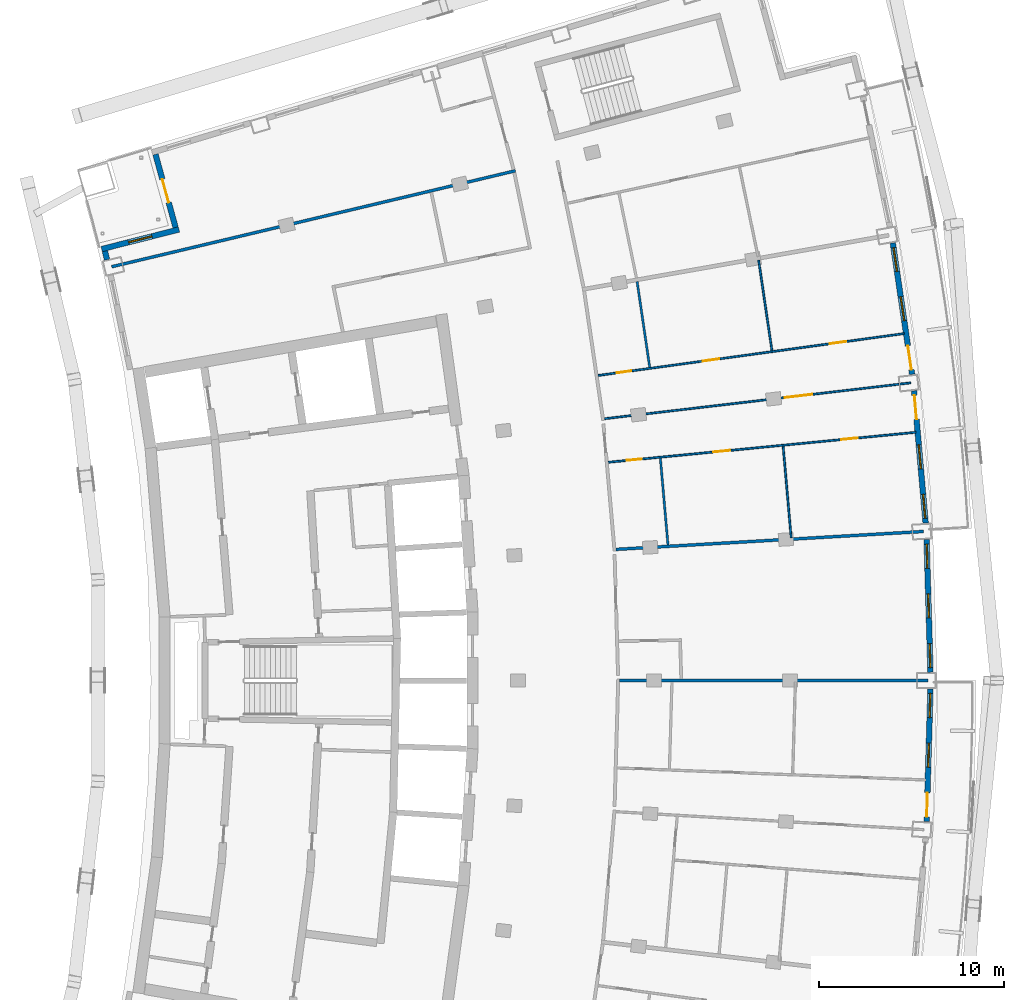
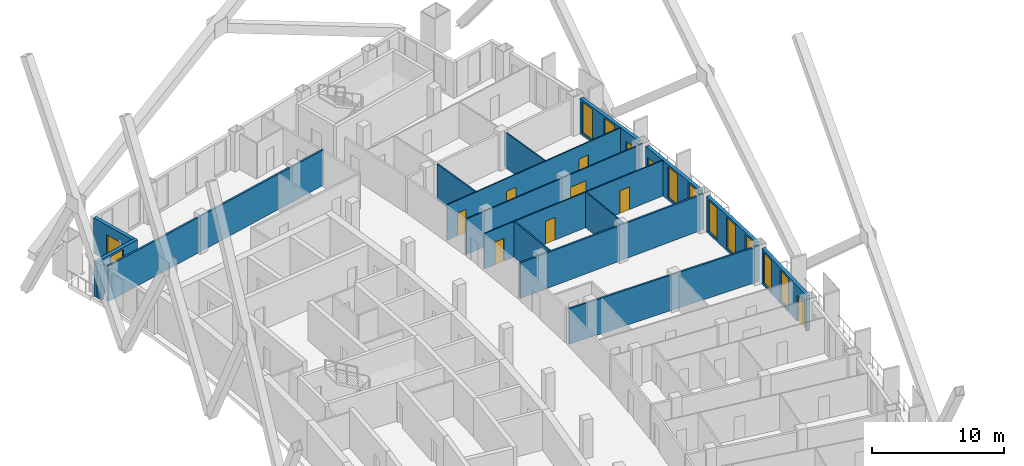
# One storey, part 14 of 20: 17 walls, 11 doors, 10 windows, 21 openings.
"""IFC4 building model written with IfcOpenShell, lengths in metres."""

from ifc_helpers import new_model, si_unit, direction, frame, frame_2d, origin, place, context, subcontext, project, spatial, rectangle, extrude, material, layer, layer_set, type_object, element, fill, save


model = new_model("IFC4")

# Units and contexts
model_context = context("Model", 3, precision=1e-05, world=origin(), true_north=direction((0.0, 1.0)))
body_context = subcontext(model_context, "Body", "Model", "MODEL_VIEW")
ifc_project = project(units=[si_unit("LENGTHUNIT", "METRE"), si_unit("AREAUNIT", "SQUARE_METRE"), si_unit("VOLUMEUNIT", "CUBIC_METRE"), si_unit("PLANEANGLEUNIT", "RADIAN"), si_unit("MASSUNIT", "GRAM", prefix="KILO")], contexts=[model_context])

# Site, building, storey
site_placement = place(None, origin())
site = spatial("IfcSite", under=ifc_project, at=site_placement, CompositionType="ELEMENT")
building_placement = place(site_placement, origin())
building = spatial("IfcBuilding", under=site, at=building_placement, Name="Alderwake Tower", CompositionType="ELEMENT")
storey_placement = place(building_placement, frame((0.0, 0.0, 210.800048828125)))
storey = spatial("IfcBuildingStorey", under=building, at=storey_placement, Name="L52", CompositionType="ELEMENT", Elevation=210.800048828125)

# Walls
ifc_material_1 = material(Name="Gypsum board on metal studs, rated")
ifc_layer_1 = layer(ifc_material_1, 0.159912109375)
ifc_layer_set_1 = layer_set([ifc_layer_1], Name="Corridor wall 160")
wall_type_1 = type_object("IfcWallType", Name="Corridor wall 160", PredefinedType="PARTITIONING", material=ifc_layer_set_1)
wall_1_placement = place(storey_placement, frame((13.884033203125, 83.31298828125, 0.0), z_axis=(0.0, 0.0, 1.0), x_axis=(0.972893462073, 0.231253781493, 0.0)))
element("IfcWall", 1, at=wall_1_placement, inside=storey, type_object=wall_type_1, Name="WL/L52/W09", PredefinedType="PARTITIONING", context=body_context, shape_type="SweptSolid", body=[
    extrude(rectangle(XDim=22.38037109375, YDim=0.159912109375, at=frame_2d((11.190185546875, 0.0))), origin(), (0.0, 0.0, 1.0), 3.280029296875),
])
wall_2_placement = place(storey_placement, frame((57.666015625, 69.0390625, 0.0), z_axis=(0.0, 0.0, 1.0), x_axis=(-0.998304783691, -0.058202739276, 0.0)))
element("IfcWall", 2, at=wall_2_placement, inside=storey, type_object=wall_type_1, Name="WL/L52/W26", PredefinedType="PARTITIONING", context=body_context, shape_type="SweptSolid", body=[
    extrude(rectangle(XDim=16.619140625, YDim=0.159912109375, at=frame_2d((8.3095703125, 0.0))), origin(), (0.0, 0.0, 1.0), 3.280029296875),
])
wall_3_placement = place(storey_placement, frame((57.89990234375, 60.9990234375, 0.0), z_axis=(0.0, 0.0, 1.0), x_axis=(-1.0, 0.0, 0.0)))
element("IfcWall", 3, at=wall_3_placement, inside=storey, type_object=wall_type_1, Name="WL/L52/W27", PredefinedType="PARTITIONING", context=body_context, shape_type="SweptSolid", body=[
    extrude(rectangle(XDim=16.620849609375, YDim=0.159912109375, at=frame_2d((8.310546875, 0.0))), origin(), (0.0, 0.0, 1.0), 3.280029296875),
])

# Wall, openings, door, windows
ifc_material_2 = material(Name="Precast concrete C50/60 spandrel panel", Category="concrete")
ifc_layer_2 = layer(ifc_material_2, 0.300048828125)
ifc_layer_set_2 = layer_set([ifc_layer_2], Name="External wall EW1 Precast concrete C50/60 spandrel")
wall_type_2 = type_object("IfcWallType", Name="External wall EW1 Precast concrete C50/60 spandrel", PredefinedType="SOLIDWALL", material=ifc_layer_set_2)
wall_4_placement = place(storey_placement, frame((57.828125, 53.39892578125, 0.0), z_axis=(0.0, 0.0, 1.0), x_axis=(0.029166481993, 0.999574567668, 0.0)))
wall_4 = element("IfcWall", 4, at=wall_4_placement, inside=storey, type_object=wall_type_2, Name="External wall 15", PredefinedType="SOLIDWALL", context=body_context, shape_type="SweptSolid", body=[
    extrude(rectangle(XDim=7.15673828125, YDim=0.300048828125, at=frame_2d((3.578369140625, 0.0))), origin(), (0.0, 0.0, 1.0), 3.280029296875),
])
opening_1_placement = place(wall_4_placement, frame((0.24951171875, 0.0, 0.0)))
opening_1 = element("IfcOpeningElement", 5, at=opening_1_placement, cuts=wall_4, Name="Opening D05", PredefinedType="OPENING", context=body_context, shape_type="SweptSolid", body=[
    extrude(rectangle(XDim=1.300048828125, YDim=2.39990234375, at=frame_2d((0.64990234375, 1.199951171875))), frame((0.0, 0.159912109375, 0.0), z_axis=(0.0, -1.0, 0.0), x_axis=(1.0, 0.0, 0.0)), (0.0, 0.0, 1.0), 0.320068359375),
])
opening_2_placement = place(wall_4_placement, frame((2.928466796875, 0.0, 0.199951171875)))
opening_2 = element("IfcOpeningElement", 6, at=opening_2_placement, cuts=wall_4, Name="Opening W1", PredefinedType="OPENING", context=body_context, shape_type="SweptSolid", body=[
    extrude(rectangle(XDim=1.300048828125, YDim=2.89990234375, at=frame_2d((0.64990234375, 1.449951171875))), frame((0.0, 0.159912109375, 0.0), z_axis=(0.0, -1.0, 0.0), x_axis=(1.0, 0.0, 0.0)), (0.0, 0.0, 1.0), 0.320068359375),
])
opening_3_placement = place(wall_4_placement, frame((5.607666015625, 0.0, 0.199951171875)))
opening_3 = element("IfcOpeningElement", 7, at=opening_3_placement, cuts=wall_4, Name="Opening W1", PredefinedType="OPENING", context=body_context, shape_type="SweptSolid", body=[
    extrude(rectangle(XDim=1.300048828125, YDim=2.89990234375, at=frame_2d((0.64990234375, 1.449951171875))), frame((0.0, 0.159912109375, 0.0), z_axis=(0.0, -1.0, 0.0), x_axis=(1.0, 0.0, 0.0)), (0.0, 0.0, 1.0), 0.320068359375),
])
ifc_material_3 = material(Name="Bronze tinted glass in aluminium frame", Category="aluminium")
door_type_1 = type_object("IfcDoorType", Name="Balcony door BD sliding", OperationType="SLIDING_TO_LEFT", PredefinedType="DOOR", material=ifc_material_3)
door_1_placement = place(opening_1_placement, origin())
door_1 = element("IfcDoor", 8, at=door_1_placement, inside=storey, type_object=door_type_1, Name="Door D05", OperationType="SLIDING_TO_LEFT", OverallHeight=2.39990234375, OverallWidth=1.300048828125, PredefinedType="DOOR", context=body_context, shape_type="SweptSolid", body=[
    extrude(rectangle(XDim=1.300048828125, YDim=2.39990234375, at=frame_2d((0.64990234375, 1.199951171875))), frame((0.0, 0.02490234375, 0.0), z_axis=(0.0, -1.0, 0.0), x_axis=(1.0, 0.0, 0.0)), (0.0, 0.0, 1.0), 0.050048828125),
])
fill(opening_1, door_1)
ifc_material_4 = material(Name="Bronze tinted glass in aluminium frame", Category="aluminium")
window_type = type_object("IfcWindowType", Name="Window W1 tall fixed and vent", PartitioningType="DOUBLE_PANEL_VERTICAL", PredefinedType="WINDOW", material=ifc_material_4)
window_1_placement = place(opening_2_placement, origin())
window_1 = element("IfcWindow", 9, at=window_1_placement, inside=storey, type_object=window_type, Name="Window W1 tall fixed and vent", OverallHeight=2.89990234375, OverallWidth=1.300048828125, PartitioningType="DOUBLE_PANEL_VERTICAL", PredefinedType="WINDOW", context=body_context, shape_type="SweptSolid", body=[
    extrude(rectangle(XDim=1.300048828125, YDim=2.89990234375, at=frame_2d((0.64990234375, 1.449951171875))), frame((0.0, 0.030029296875, 0.0), z_axis=(0.0, -1.0, 0.0), x_axis=(1.0, 0.0, 0.0)), (0.0, 0.0, 1.0), 0.06005859375),
])
fill(opening_2, window_1)
window_2_placement = place(opening_3_placement, origin())
window_2 = element("IfcWindow", 10, at=window_2_placement, inside=storey, type_object=window_type, Name="Window W1 tall fixed and vent", OverallHeight=2.89990234375, OverallWidth=1.300048828125, PartitioningType="DOUBLE_PANEL_VERTICAL", PredefinedType="WINDOW", context=body_context, shape_type="SweptSolid", body=[
    extrude(rectangle(XDim=1.300048828125, YDim=2.89990234375, at=frame_2d((0.64990234375, 1.449951171875))), frame((0.0, 0.030029296875, 0.0), z_axis=(0.0, -1.0, 0.0), x_axis=(1.0, 0.0, 0.0)), (0.0, 0.0, 1.0), 0.06005859375),
])
fill(opening_3, window_2)

# Wall, openings, windows
wall_5_placement = place(storey_placement, frame((58.036865234375, 61.447265625, 0.0), z_axis=(0.0, 0.0, 1.0), x_axis=(-0.029166481993, 0.999574567668, 0.0)))
wall_5 = element("IfcWall", 11, at=wall_5_placement, inside=storey, type_object=wall_type_2, Name="External wall 16", PredefinedType="SOLIDWALL", context=body_context, shape_type="SweptSolid", body=[
    extrude(rectangle(XDim=7.15673828125, YDim=0.300048828125, at=frame_2d((3.578369140625, 0.0))), origin(), (0.0, 0.0, 1.0), 3.280029296875),
])
opening_4_placement = place(wall_5_placement, frame((0.24951171875, 0.0, 0.199951171875)))
opening_4 = element("IfcOpeningElement", 12, at=opening_4_placement, cuts=wall_5, Name="Opening W1", PredefinedType="OPENING", context=body_context, shape_type="SweptSolid", body=[
    extrude(rectangle(XDim=1.300048828125, YDim=2.89990234375, at=frame_2d((0.64990234375, 1.449951171875))), frame((0.0, 0.159912109375, 0.0), z_axis=(0.0, -1.0, 0.0), x_axis=(1.0, 0.0, 0.0)), (0.0, 0.0, 1.0), 0.320068359375),
])
opening_5_placement = place(wall_5_placement, frame((2.928466796875, 0.0, 0.199951171875)))
opening_5 = element("IfcOpeningElement", 13, at=opening_5_placement, cuts=wall_5, Name="Opening W1", PredefinedType="OPENING", context=body_context, shape_type="SweptSolid", body=[
    extrude(rectangle(XDim=1.300048828125, YDim=2.89990234375, at=frame_2d((0.64990234375, 1.449951171875))), frame((0.0, 0.159912109375, 0.0), z_axis=(0.0, -1.0, 0.0), x_axis=(1.0, 0.0, 0.0)), (0.0, 0.0, 1.0), 0.320068359375),
])
opening_6_placement = place(wall_5_placement, frame((5.607666015625, 0.0, 0.199951171875)))
opening_6 = element("IfcOpeningElement", 14, at=opening_6_placement, cuts=wall_5, Name="Opening W1", PredefinedType="OPENING", context=body_context, shape_type="SweptSolid", body=[
    extrude(rectangle(XDim=1.300048828125, YDim=2.89990234375, at=frame_2d((0.64990234375, 1.449951171875))), frame((0.0, 0.159912109375, 0.0), z_axis=(0.0, -1.0, 0.0), x_axis=(1.0, 0.0, 0.0)), (0.0, 0.0, 1.0), 0.320068359375),
])
window_3_placement = place(opening_4_placement, origin())
window_3 = element("IfcWindow", 15, at=window_3_placement, inside=storey, type_object=window_type, Name="Window W1 tall fixed and vent", OverallHeight=2.89990234375, OverallWidth=1.300048828125, PartitioningType="DOUBLE_PANEL_VERTICAL", PredefinedType="WINDOW", context=body_context, shape_type="SweptSolid", body=[
    extrude(rectangle(XDim=1.300048828125, YDim=2.89990234375, at=frame_2d((0.64990234375, 1.449951171875))), frame((0.0, 0.030029296875, 0.0), z_axis=(0.0, -1.0, 0.0), x_axis=(1.0, 0.0, 0.0)), (0.0, 0.0, 1.0), 0.06005859375),
])
fill(opening_4, window_3)
window_4_placement = place(opening_5_placement, origin())
window_4 = element("IfcWindow", 16, at=window_4_placement, inside=storey, type_object=window_type, Name="Window W1 tall fixed and vent", OverallHeight=2.89990234375, OverallWidth=1.300048828125, PartitioningType="DOUBLE_PANEL_VERTICAL", PredefinedType="WINDOW", context=body_context, shape_type="SweptSolid", body=[
    extrude(rectangle(XDim=1.300048828125, YDim=2.89990234375, at=frame_2d((0.64990234375, 1.449951171875))), frame((0.0, 0.030029296875, 0.0), z_axis=(0.0, -1.0, 0.0), x_axis=(1.0, 0.0, 0.0)), (0.0, 0.0, 1.0), 0.06005859375),
])
fill(opening_5, window_4)
window_5_placement = place(opening_6_placement, origin())
window_5 = element("IfcWindow", 17, at=window_5_placement, inside=storey, type_object=window_type, Name="Window W1 tall fixed and vent", OverallHeight=2.89990234375, OverallWidth=1.300048828125, PartitioningType="DOUBLE_PANEL_VERTICAL", PredefinedType="WINDOW", context=body_context, shape_type="SweptSolid", body=[
    extrude(rectangle(XDim=1.300048828125, YDim=2.89990234375, at=frame_2d((0.64990234375, 1.449951171875))), frame((0.0, 0.030029296875, 0.0), z_axis=(0.0, -1.0, 0.0), x_axis=(1.0, 0.0, 0.0)), (0.0, 0.0, 1.0), 0.06005859375),
])
fill(opening_6, window_5)

# Wall, openings, door, windows
wall_6_placement = place(storey_placement, frame((57.776123046875, 69.494140625, 0.0), z_axis=(0.0, 0.0, 1.0), x_axis=(-0.087398001478, 0.996173473516, 0.0)))
wall_6 = element("IfcWall", 18, at=wall_6_placement, inside=storey, type_object=wall_type_2, Name="External wall 17", PredefinedType="SOLIDWALL", context=body_context, shape_type="SweptSolid", body=[
    extrude(rectangle(XDim=7.15673828125, YDim=0.300048828125, at=frame_2d((3.578369140625, 0.0))), origin(), (0.0, 0.0, 1.0), 3.280029296875),
])
opening_7_placement = place(wall_6_placement, frame((0.24951171875, 0.0, 0.199951171875)))
opening_7 = element("IfcOpeningElement", 19, at=opening_7_placement, cuts=wall_6, Name="Opening W1", PredefinedType="OPENING", context=body_context, shape_type="SweptSolid", body=[
    extrude(rectangle(XDim=1.300048828125, YDim=2.89990234375, at=frame_2d((0.64990234375, 1.449951171875))), frame((0.0, 0.159912109375, 0.0), z_axis=(0.0, -1.0, 0.0), x_axis=(1.0, 0.0, 0.0)), (0.0, 0.0, 1.0), 0.320068359375),
])
opening_8_placement = place(wall_6_placement, frame((2.928466796875, 0.0, 0.199951171875)))
opening_8 = element("IfcOpeningElement", 20, at=opening_8_placement, cuts=wall_6, Name="Opening W1", PredefinedType="OPENING", context=body_context, shape_type="SweptSolid", body=[
    extrude(rectangle(XDim=1.300048828125, YDim=2.89990234375, at=frame_2d((0.64990234375, 1.449951171875))), frame((0.0, 0.159912109375, 0.0), z_axis=(0.0, -1.0, 0.0), x_axis=(1.0, 0.0, 0.0)), (0.0, 0.0, 1.0), 0.320068359375),
])
opening_9_placement = place(wall_6_placement, frame((5.607421875, 0.0, 0.0)))
opening_9 = element("IfcOpeningElement", 21, at=opening_9_placement, cuts=wall_6, Name="Opening D06", PredefinedType="OPENING", context=body_context, shape_type="SweptSolid", body=[
    extrude(rectangle(XDim=1.300048828125, YDim=2.39990234375, at=frame_2d((0.64990234375, 1.199951171875))), frame((0.0, 0.159912109375, 0.0), z_axis=(0.0, -1.0, 0.0), x_axis=(1.0, 0.0, 0.0)), (0.0, 0.0, 1.0), 0.320068359375),
])
door_2_placement = place(opening_9_placement, origin())
door_2 = element("IfcDoor", 22, at=door_2_placement, inside=storey, type_object=door_type_1, Name="Door D06", OperationType="SLIDING_TO_LEFT", OverallHeight=2.39990234375, OverallWidth=1.300048828125, PredefinedType="DOOR", context=body_context, shape_type="SweptSolid", body=[
    extrude(rectangle(XDim=1.300048828125, YDim=2.39990234375, at=frame_2d((0.64990234375, 1.199951171875))), frame((0.0, 0.02490234375, 0.0), z_axis=(0.0, -1.0, 0.0), x_axis=(1.0, 0.0, 0.0)), (0.0, 0.0, 1.0), 0.050048828125),
])
fill(opening_9, door_2)
window_6_placement = place(opening_7_placement, origin())
window_6 = element("IfcWindow", 23, at=window_6_placement, inside=storey, type_object=window_type, Name="Window W1 tall fixed and vent", OverallHeight=2.89990234375, OverallWidth=1.300048828125, PartitioningType="DOUBLE_PANEL_VERTICAL", PredefinedType="WINDOW", context=body_context, shape_type="SweptSolid", body=[
    extrude(rectangle(XDim=1.300048828125, YDim=2.89990234375, at=frame_2d((0.64990234375, 1.449951171875))), frame((0.0, 0.030029296875, 0.0), z_axis=(0.0, -1.0, 0.0), x_axis=(1.0, 0.0, 0.0)), (0.0, 0.0, 1.0), 0.06005859375),
])
fill(opening_7, window_6)
window_7_placement = place(opening_8_placement, origin())
window_7 = element("IfcWindow", 24, at=window_7_placement, inside=storey, type_object=window_type, Name="Window W1 tall fixed and vent", OverallHeight=2.89990234375, OverallWidth=1.300048828125, PartitioningType="DOUBLE_PANEL_VERTICAL", PredefinedType="WINDOW", context=body_context, shape_type="SweptSolid", body=[
    extrude(rectangle(XDim=1.300048828125, YDim=2.89990234375, at=frame_2d((0.64990234375, 1.449951171875))), frame((0.0, 0.030029296875, 0.0), z_axis=(0.0, -1.0, 0.0), x_axis=(1.0, 0.0, 0.0)), (0.0, 0.0, 1.0), 0.06005859375),
])
fill(opening_8, window_7)

wall_7_placement = place(storey_placement, frame((57.04638671875, 77.511962890625, 0.0), z_axis=(0.0, 0.0, 1.0), x_axis=(-0.14528382607, 0.989390019094, 0.0)))
wall_7 = element("IfcWall", 25, at=wall_7_placement, inside=storey, type_object=wall_type_2, Name="External wall 18", PredefinedType="SOLIDWALL", context=body_context, shape_type="SweptSolid", body=[
    extrude(rectangle(XDim=7.156982421875, YDim=0.300048828125, at=frame_2d((3.57861328125, 0.0))), origin(), (0.0, 0.0, 1.0), 3.280029296875),
])
opening_10_placement = place(wall_7_placement, frame((0.24951171875, 0.0, 0.0)))
opening_10 = element("IfcOpeningElement", 26, at=opening_10_placement, cuts=wall_7, Name="Opening D07", PredefinedType="OPENING", context=body_context, shape_type="SweptSolid", body=[
    extrude(rectangle(XDim=1.300048828125, YDim=2.39990234375, at=frame_2d((0.64990234375, 1.199951171875))), frame((0.0, 0.159912109375, 0.0), z_axis=(0.0, -1.0, 0.0), x_axis=(1.0, 0.0, 0.0)), (0.0, 0.0, 1.0), 0.320068359375),
])
opening_11_placement = place(wall_7_placement, frame((2.928466796875, 0.0, 0.199951171875)))
opening_11 = element("IfcOpeningElement", 27, at=opening_11_placement, cuts=wall_7, Name="Opening W1", PredefinedType="OPENING", context=body_context, shape_type="SweptSolid", body=[
    extrude(rectangle(XDim=1.300048828125, YDim=2.89990234375, at=frame_2d((0.64990234375, 1.449951171875))), frame((0.0, 0.159912109375, 0.0), z_axis=(0.0, -1.0, 0.0), x_axis=(1.0, 0.0, 0.0)), (0.0, 0.0, 1.0), 0.320068359375),
])
opening_12_placement = place(wall_7_placement, frame((5.607666015625, 0.0, 0.199951171875)))
opening_12 = element("IfcOpeningElement", 28, at=opening_12_placement, cuts=wall_7, Name="Opening W1", PredefinedType="OPENING", context=body_context, shape_type="SweptSolid", body=[
    extrude(rectangle(XDim=1.300048828125, YDim=2.89990234375, at=frame_2d((0.64990234375, 1.449951171875))), frame((0.0, 0.159912109375, 0.0), z_axis=(0.0, -1.0, 0.0), x_axis=(1.0, 0.0, 0.0)), (0.0, 0.0, 1.0), 0.320068359375),
])
door_3_placement = place(opening_10_placement, origin())
door_3 = element("IfcDoor", 29, at=door_3_placement, inside=storey, type_object=door_type_1, Name="Door D07", OperationType="SLIDING_TO_LEFT", OverallHeight=2.39990234375, OverallWidth=1.300048828125, PredefinedType="DOOR", context=body_context, shape_type="SweptSolid", body=[
    extrude(rectangle(XDim=1.300048828125, YDim=2.39990234375, at=frame_2d((0.64990234375, 1.199951171875))), frame((0.0, 0.02490234375, 0.0), z_axis=(0.0, -1.0, 0.0), x_axis=(1.0, 0.0, 0.0)), (0.0, 0.0, 1.0), 0.050048828125),
])
fill(opening_10, door_3)
window_8_placement = place(opening_11_placement, origin())
window_8 = element("IfcWindow", 30, at=window_8_placement, inside=storey, type_object=window_type, Name="Window W1 tall fixed and vent", OverallHeight=2.89990234375, OverallWidth=1.300048828125, PartitioningType="DOUBLE_PANEL_VERTICAL", PredefinedType="WINDOW", context=body_context, shape_type="SweptSolid", body=[
    extrude(rectangle(XDim=1.300048828125, YDim=2.89990234375, at=frame_2d((0.64990234375, 1.449951171875))), frame((0.0, 0.030029296875, 0.0), z_axis=(0.0, -1.0, 0.0), x_axis=(1.0, 0.0, 0.0)), (0.0, 0.0, 1.0), 0.06005859375),
])
fill(opening_11, window_8)
window_9_placement = place(opening_12_placement, origin())
window_9 = element("IfcWindow", 31, at=window_9_placement, inside=storey, type_object=window_type, Name="Window W1 tall fixed and vent", OverallHeight=2.89990234375, OverallWidth=1.300048828125, PartitioningType="DOUBLE_PANEL_VERTICAL", PredefinedType="WINDOW", context=body_context, shape_type="SweptSolid", body=[
    extrude(rectangle(XDim=1.300048828125, YDim=2.89990234375, at=frame_2d((0.64990234375, 1.449951171875))), frame((0.0, 0.030029296875, 0.0), z_axis=(0.0, -1.0, 0.0), x_axis=(1.0, 0.0, 0.0)), (0.0, 0.0, 1.0), 0.06005859375),
])
fill(opening_12, window_9)

# Wall
wall_8_placement = place(storey_placement, frame((13.523193359375, 84.1572265625, 0.0), z_axis=(0.0, 0.0, 1.0), x_axis=(0.238448700846, -0.971155094238, 0.0)))
element("IfcWall", 32, at=wall_8_placement, inside=storey, type_object=wall_type_2, Name="External wall 30", PredefinedType="SOLIDWALL", context=body_context, shape_type="SweptSolid", body=[
    extrude(rectangle(XDim=0.47802734375, YDim=0.300048828125, at=frame_2d((0.239013671875, 0.0))), origin(), (0.0, 0.0, 1.0), 3.280029296875),
])

# Wall, opening, door
ifc_material_5 = material(Name="Bronze metal cladding on lightweight framing")
ifc_layer_3 = layer(ifc_material_5, 0.300048828125)
ifc_layer_set_3 = layer_set([ifc_layer_3], Name="External wall EW2 bronze metal cladding")
wall_type_3 = type_object("IfcWallType", Name="External wall EW2 bronze metal cladding", PredefinedType="SOLIDWALL", material=ifc_layer_set_3)
wall_9_placement = place(storey_placement, frame((16.248779296875, 89.374755859375, 0.0), z_axis=(0.0, 0.0, 1.0), x_axis=(0.264607053468, -0.964356317579, 0.0)))
wall_9 = element("IfcWall", 33, at=wall_9_placement, inside=storey, type_object=wall_type_3, Name="External wall 28", PredefinedType="SOLIDWALL", context=body_context, shape_type="SweptSolid", body=[
    extrude(rectangle(XDim=4.090087890625, YDim=0.300048828125, at=frame_2d((2.044921875, 0.0))), origin(), (0.0, 0.0, 1.0), 3.280029296875),
])
opening_13_placement = place(wall_9_placement, frame((1.39501953125, 0.0, 0.0)))
opening_13 = element("IfcOpeningElement", 34, at=opening_13_placement, cuts=wall_9, Name="Opening D09", PredefinedType="OPENING", context=body_context, shape_type="SweptSolid", body=[
    extrude(rectangle(XDim=1.300048828125, YDim=2.39990234375, at=frame_2d((0.64990234375, 1.199951171875))), frame((0.0, 0.159912109375, 0.0), z_axis=(0.0, -1.0, 0.0), x_axis=(1.0, 0.0, 0.0)), (0.0, 0.0, 1.0), 0.320068359375),
])
door_4_placement = place(opening_13_placement, origin())
door_4 = element("IfcDoor", 35, at=door_4_placement, inside=storey, type_object=door_type_1, Name="Door D09", OperationType="SLIDING_TO_LEFT", OverallHeight=2.39990234375, OverallWidth=1.300048828125, PredefinedType="DOOR", context=body_context, shape_type="SweptSolid", body=[
    extrude(rectangle(XDim=1.300048828125, YDim=2.39990234375, at=frame_2d((0.64990234375, 1.199951171875))), frame((0.0, 0.02490234375, 0.0), z_axis=(0.0, -1.0, 0.0), x_axis=(1.0, 0.0, 0.0)), (0.0, 0.0, 1.0), 0.050048828125),
])
fill(opening_13, door_4)

# Wall, opening, window
wall_10_placement = place(storey_placement, frame((17.51611328125, 85.32275390625, 0.0), z_axis=(0.0, 0.0, 1.0), x_axis=(-0.969417740682, -0.245416470617, 0.0)))
wall_10 = element("IfcWall", 36, at=wall_10_placement, inside=storey, type_object=wall_type_3, Name="External wall 29", PredefinedType="SOLIDWALL", context=body_context, shape_type="SweptSolid", body=[
    extrude(rectangle(XDim=4.305419921875, YDim=0.300048828125, at=frame_2d((2.15283203125, 0.0))), origin(), (0.0, 0.0, 1.0), 3.280029296875),
])
opening_14_placement = place(wall_10_placement, frame((1.502685546875, 0.0, 0.199951171875)))
opening_14 = element("IfcOpeningElement", 37, at=opening_14_placement, cuts=wall_10, Name="Opening W1", PredefinedType="OPENING", context=body_context, shape_type="SweptSolid", body=[
    extrude(rectangle(XDim=1.300048828125, YDim=2.89990234375, at=frame_2d((0.64990234375, 1.449951171875))), frame((0.0, 0.159912109375, 0.0), z_axis=(0.0, -1.0, 0.0), x_axis=(1.0, 0.0, 0.0)), (0.0, 0.0, 1.0), 0.320068359375),
])
window_10_placement = place(opening_14_placement, origin())
window_10 = element("IfcWindow", 38, at=window_10_placement, inside=storey, type_object=window_type, Name="Window W1 tall fixed and vent", OverallHeight=2.89990234375, OverallWidth=1.300048828125, PartitioningType="DOUBLE_PANEL_VERTICAL", PredefinedType="WINDOW", context=body_context, shape_type="SweptSolid", body=[
    extrude(rectangle(XDim=1.300048828125, YDim=2.89990234375, at=frame_2d((0.64990234375, 1.449951171875))), frame((0.0, 0.030029296875, 0.0), z_axis=(0.0, -1.0, 0.0), x_axis=(1.0, 0.0, 0.0)), (0.0, 0.0, 1.0), 0.06005859375),
])
fill(opening_14, window_10)

# Wall, openings, doors
ifc_material_6 = material(Name="Gypsum board on metal studs")
ifc_layer_4 = layer(ifc_material_6, 0.10009765625)
ifc_layer_set_4 = layer_set([ifc_layer_4], Name="Unit partition 100")
wall_type_4 = type_object("IfcWallType", Name="Unit partition 100", PredefinedType="PARTITIONING", material=ifc_layer_set_4)
wall_11_placement = place(storey_placement, frame((40.1142578125, 77.449951171875, 0.0), z_axis=(0.0, 0.0, 1.0), x_axis=(0.990758161206, 0.135640207914, 0.0)))
wall_11 = element("IfcWall", 39, at=wall_11_placement, inside=storey, type_object=wall_type_4, Name="WL/L52/W43", PredefinedType="PARTITIONING", context=body_context, shape_type="SweptSolid", body=[
    extrude(rectangle(XDim=16.661865234375, YDim=0.10009765625, at=frame_2d((8.3310546875, 0.0))), origin(), (0.0, 0.0, 1.0), 3.280029296875),
])
opening_15_placement = place(wall_11_placement, frame((5.693603515625, 0.0, 0.0)))
opening_15 = element("IfcOpeningElement", 40, at=opening_15_placement, cuts=wall_11, Name="Opening R15-U06.5", PredefinedType="OPENING", context=body_context, shape_type="SweptSolid", body=[
    extrude(rectangle(XDim=0.89990234375, YDim=2.10009765625, at=frame_2d((0.449951171875, 1.050048828125))), frame((0.0, 0.06005859375, 0.0), z_axis=(0.0, -1.0, 0.0), x_axis=(1.0, 0.0, 0.0)), (0.0, 0.0, 1.0), 0.1201171875),
])
opening_16_placement = place(wall_11_placement, frame((1.0087890625, 0.0, 0.0)))
opening_16 = element("IfcOpeningElement", 41, at=opening_16_placement, cuts=wall_11, Name="Opening R15-U06.6", PredefinedType="OPENING", context=body_context, shape_type="SweptSolid", body=[
    extrude(rectangle(XDim=0.800048828125, YDim=2.10009765625, at=frame_2d((0.39990234375, 1.050048828125))), frame((0.0, 0.06005859375, 0.0), z_axis=(0.0, -1.0, 0.0), x_axis=(1.0, 0.0, 0.0)), (0.0, 0.0, 1.0), 0.1201171875),
])
opening_17_placement = place(wall_11_placement, frame((12.615478515625, 0.0, 0.0)))
opening_17 = element("IfcOpeningElement", 42, at=opening_17_placement, cuts=wall_11, Name="Opening R15-U06.7", PredefinedType="OPENING", context=body_context, shape_type="SweptSolid", body=[
    extrude(rectangle(XDim=0.89990234375, YDim=2.10009765625, at=frame_2d((0.449951171875, 1.050048828125))), frame((0.0, 0.06005859375, 0.0), z_axis=(0.0, -1.0, 0.0), x_axis=(1.0, 0.0, 0.0)), (0.0, 0.0, 1.0), 0.1201171875),
])
ifc_material_7 = material(Name="Painted timber leaf", Category="wood")
door_type_2 = type_object("IfcDoorType", Name="Bathroom door 800", OperationType="SINGLE_SWING_LEFT", PredefinedType="DOOR", material=ifc_material_7)
door_5_placement = place(opening_16_placement, origin())
door_5 = element("IfcDoor", 43, at=door_5_placement, inside=storey, type_object=door_type_2, Name="DR/L52/U06.6", OperationType="SINGLE_SWING_LEFT", OverallHeight=2.10009765625, OverallWidth=0.800048828125, PredefinedType="DOOR", context=body_context, shape_type="SweptSolid", body=[
    extrude(rectangle(XDim=0.800048828125, YDim=2.10009765625, at=frame_2d((0.39990234375, 1.050048828125))), frame((0.0, 0.02490234375, 0.0), z_axis=(0.0, -1.0, 0.0), x_axis=(1.0, 0.0, 0.0)), (0.0, 0.0, 1.0), 0.050048828125),
])
fill(opening_16, door_5)
ifc_material_8 = material(Name="Painted timber leaf", Category="wood")
door_type_3 = type_object("IfcDoorType", Name="Room door 900", OperationType="SINGLE_SWING_LEFT", PredefinedType="DOOR", material=ifc_material_8)
door_6_placement = place(opening_15_placement, origin())
door_6 = element("IfcDoor", 44, at=door_6_placement, inside=storey, type_object=door_type_3, Name="DR/L52/U06.5", OperationType="SINGLE_SWING_LEFT", OverallHeight=2.10009765625, OverallWidth=0.89990234375, PredefinedType="DOOR", context=body_context, shape_type="SweptSolid", body=[
    extrude(rectangle(XDim=0.89990234375, YDim=2.10009765625, at=frame_2d((0.449951171875, 1.050048828125))), frame((0.0, 0.02490234375, 0.0), z_axis=(0.0, -1.0, 0.0), x_axis=(1.0, 0.0, 0.0)), (0.0, 0.0, 1.0), 0.050048828125),
])
fill(opening_15, door_6)
door_7_placement = place(opening_17_placement, origin())
door_7 = element("IfcDoor", 45, at=door_7_placement, inside=storey, type_object=door_type_3, Name="DR/L52/U06.7", OperationType="SINGLE_SWING_LEFT", OverallHeight=2.10009765625, OverallWidth=0.89990234375, PredefinedType="DOOR", context=body_context, shape_type="SweptSolid", body=[
    extrude(rectangle(XDim=0.89990234375, YDim=2.10009765625, at=frame_2d((0.449951171875, 1.050048828125))), frame((0.0, 0.02490234375, 0.0), z_axis=(0.0, -1.0, 0.0), x_axis=(1.0, 0.0, 0.0)), (0.0, 0.0, 1.0), 0.050048828125),
])
fill(opening_17, door_7)

wall_12_placement = place(storey_placement, frame((57.24609375, 74.385009765625, 0.0), z_axis=(0.0, 0.0, 1.0), x_axis=(-0.995291195523, -0.096930057844, 0.0)))
wall_12 = element("IfcWall", 46, at=wall_12_placement, inside=storey, type_object=wall_type_4, Name="WL/L52/W44", PredefinedType="PARTITIONING", context=body_context, shape_type="SweptSolid", body=[
    extrude(rectangle(XDim=16.663818359375, YDim=0.10009765625, at=frame_2d((8.33203125, 0.0))), origin(), (0.0, 0.0, 1.0), 3.280029296875),
])
opening_18_placement = place(wall_12_placement, frame((10.068115234375, 0.0, 0.0)))
opening_18 = element("IfcOpeningElement", 47, at=opening_18_placement, cuts=wall_12, Name="Opening R15-U06.1", PredefinedType="OPENING", context=body_context, shape_type="SweptSolid", body=[
    extrude(rectangle(XDim=0.89990234375, YDim=2.10009765625, at=frame_2d((0.449951171875, 1.050048828125))), frame((0.0, 0.06005859375, 0.0), z_axis=(0.0, -1.0, 0.0), x_axis=(1.0, 0.0, 0.0)), (0.0, 0.0, 1.0), 0.1201171875),
])
opening_19_placement = place(wall_12_placement, frame((14.85400390625, 0.0, 0.0)))
opening_19 = element("IfcOpeningElement", 48, at=opening_19_placement, cuts=wall_12, Name="Opening R15-U06.3", PredefinedType="OPENING", context=body_context, shape_type="SweptSolid", body=[
    extrude(rectangle(XDim=0.800048828125, YDim=2.10009765625, at=frame_2d((0.39990234375, 1.050048828125))), frame((0.0, 0.06005859375, 0.0), z_axis=(0.0, -1.0, 0.0), x_axis=(1.0, 0.0, 0.0)), (0.0, 0.0, 1.0), 0.1201171875),
])
opening_20_placement = place(wall_12_placement, frame((3.146240234375, 0.0, 0.0)))
opening_20 = element("IfcOpeningElement", 49, at=opening_20_placement, cuts=wall_12, Name="Opening R15-U06.4", PredefinedType="OPENING", context=body_context, shape_type="SweptSolid", body=[
    extrude(rectangle(XDim=0.89990234375, YDim=2.10009765625, at=frame_2d((0.449951171875, 1.050048828125))), frame((0.0, 0.06005859375, 0.0), z_axis=(0.0, -1.0, 0.0), x_axis=(1.0, 0.0, 0.0)), (0.0, 0.0, 1.0), 0.1201171875),
])
door_8_placement = place(opening_19_placement, origin())
door_8 = element("IfcDoor", 50, at=door_8_placement, inside=storey, type_object=door_type_2, Name="DR/L52/U06.3", OperationType="SINGLE_SWING_LEFT", OverallHeight=2.10009765625, OverallWidth=0.800048828125, PredefinedType="DOOR", context=body_context, shape_type="SweptSolid", body=[
    extrude(rectangle(XDim=0.800048828125, YDim=2.10009765625, at=frame_2d((0.39990234375, 1.050048828125))), frame((0.0, 0.02490234375, 0.0), z_axis=(0.0, -1.0, 0.0), x_axis=(1.0, 0.0, 0.0)), (0.0, 0.0, 1.0), 0.050048828125),
])
fill(opening_19, door_8)
door_9_placement = place(opening_18_placement, origin())
door_9 = element("IfcDoor", 51, at=door_9_placement, inside=storey, type_object=door_type_3, Name="DR/L52/U06.1", OperationType="SINGLE_SWING_LEFT", OverallHeight=2.10009765625, OverallWidth=0.89990234375, PredefinedType="DOOR", context=body_context, shape_type="SweptSolid", body=[
    extrude(rectangle(XDim=0.89990234375, YDim=2.10009765625, at=frame_2d((0.449951171875, 1.050048828125))), frame((0.0, 0.02490234375, 0.0), z_axis=(0.0, -1.0, 0.0), x_axis=(1.0, 0.0, 0.0)), (0.0, 0.0, 1.0), 0.050048828125),
])
fill(opening_18, door_9)
door_10_placement = place(opening_20_placement, origin())
door_10 = element("IfcDoor", 52, at=door_10_placement, inside=storey, type_object=door_type_3, Name="DR/L52/U06.4", OperationType="SINGLE_SWING_LEFT", OverallHeight=2.10009765625, OverallWidth=0.89990234375, PredefinedType="DOOR", context=body_context, shape_type="SweptSolid", body=[
    extrude(rectangle(XDim=0.89990234375, YDim=2.10009765625, at=frame_2d((0.449951171875, 1.050048828125))), frame((0.0, 0.02490234375, 0.0), z_axis=(0.0, -1.0, 0.0), x_axis=(1.0, 0.0, 0.0)), (0.0, 0.0, 1.0), 0.050048828125),
])
fill(opening_20, door_10)

# Walls
wall_13_placement = place(storey_placement, frame((49.48974609375, 78.784423828125, 0.0), z_axis=(0.0, 0.0, 1.0), x_axis=(-0.145734669437, 0.989323711494, 0.0)))
element("IfcWall", 53, at=wall_13_placement, inside=storey, type_object=wall_type_4, Name="WL/L52/W51", PredefinedType="PARTITIONING", context=body_context, shape_type="SweptSolid", body=[
    extrude(rectangle(XDim=4.935302734375, YDim=0.10009765625, at=frame_2d((2.4677734375, 0.0))), origin(), (0.0, 0.0, 1.0), 3.280029296875),
])
wall_14_placement = place(storey_placement, frame((50.52490234375, 68.70166015625, 0.0), z_axis=(0.0, 0.0, 1.0), x_axis=(-0.087284269419, 0.99618344511, 0.0)))
element("IfcWall", 54, at=wall_14_placement, inside=storey, type_object=wall_type_4, Name="WL/L52/W53", PredefinedType="PARTITIONING", context=body_context, shape_type="SweptSolid", body=[
    extrude(rectangle(XDim=4.956298828125, YDim=0.10009765625, at=frame_2d((2.47802734375, 0.0))), origin(), (0.0, 0.0, 1.0), 3.280029296875),
])

# Wall, opening, door
wall_15_placement = place(storey_placement, frame((40.45654296875, 75.1171875, 0.0), z_axis=(0.0, 0.0, 1.0), x_axis=(0.993201145726, 0.116410841971, 0.0)))
wall_15 = element("IfcWall", 55, at=wall_15_placement, inside=storey, type_object=wall_type_4, Name="WL/L52/W55", PredefinedType="PARTITIONING", context=body_context, shape_type="SweptSolid", body=[
    extrude(rectangle(XDim=16.62060546875, YDim=0.10009765625, at=frame_2d((8.310302734375, 0.0))), origin(), (0.0, 0.0, 1.0), 3.280029296875),
])
opening_21_placement = place(wall_15_placement, frame((9.79150390625, 0.0, 0.0)))
opening_21 = element("IfcOpeningElement", 56, at=opening_21_placement, cuts=wall_15, Name="Opening R15-U06.8", PredefinedType="OPENING", context=body_context, shape_type="SweptSolid", body=[
    extrude(rectangle(XDim=1.5, YDim=2.10009765625, at=frame_2d((0.75, 1.050048828125))), frame((0.0, 0.06005859375, 0.0), z_axis=(0.0, -1.0, 0.0), x_axis=(1.0, 0.0, 0.0)), (0.0, 0.0, 1.0), 0.1201171875),
])
ifc_material_9 = material(Name="Painted timber leaves", Category="wood")
door_type_4 = type_object("IfcDoorType", Name="Double leaf door 1500", OperationType="DOUBLE_DOOR_SINGLE_SWING", PredefinedType="DOOR", material=ifc_material_9)
door_11_placement = place(opening_21_placement, origin())
door_11 = element("IfcDoor", 57, at=door_11_placement, inside=storey, type_object=door_type_4, Name="DR/L52/U06.8", OperationType="DOUBLE_DOOR_SINGLE_SWING", OverallHeight=2.10009765625, OverallWidth=1.5, PredefinedType="DOOR", context=body_context, shape_type="SweptSolid", body=[
    extrude(rectangle(XDim=1.5, YDim=2.10009765625, at=frame_2d((0.75, 1.050048828125))), frame((0.0, 0.02490234375, 0.0), z_axis=(0.0, -1.0, 0.0), x_axis=(1.0, 0.0, 0.0)), (0.0, 0.0, 1.0), 0.050048828125),
])
fill(opening_21, door_11)

# Walls
ifc_material_10 = material(Name="Moisture resistant gypsum board on metal studs")
ifc_layer_5 = layer(ifc_material_10, 0.1201171875)
ifc_layer_set_5 = layer_set([ifc_layer_5], Name="Wet room partition 120")
wall_type_5 = type_object("IfcWallType", Name="Wet room partition 120", PredefinedType="PARTITIONING", material=ifc_layer_set_5)
wall_16_placement = place(storey_placement, frame((42.898681640625, 77.881591796875, 0.0), z_axis=(0.0, 0.0, 1.0), x_axis=(-0.145424863666, 0.989369298608, 0.0)))
element("IfcWall", 58, at=wall_16_placement, inside=storey, type_object=wall_type_5, Name="WL/L52/W35", PredefinedType="PARTITIONING", context=body_context, shape_type="SweptSolid", body=[
    extrude(rectangle(XDim=4.67724609375, YDim=0.1201171875, at=frame_2d((2.338623046875, 0.0))), origin(), (0.0, 0.0, 1.0), 3.280029296875),
])
wall_17_placement = place(storey_placement, frame((43.883056640625, 68.314697265625, 0.0), z_axis=(0.0, 0.0, 1.0), x_axis=(-0.087679808095, 0.996148709407, 0.0)))
element("IfcWall", 59, at=wall_17_placement, inside=storey, type_object=wall_type_5, Name="WL/L52/W37", PredefinedType="PARTITIONING", context=body_context, shape_type="SweptSolid", body=[
    extrude(rectangle(XDim=4.694580078125, YDim=0.1201171875, at=frame_2d((2.34716796875, 0.0))), origin(), (0.0, 0.0, 1.0), 3.280029296875),
])

save(model, "model.ifc")
